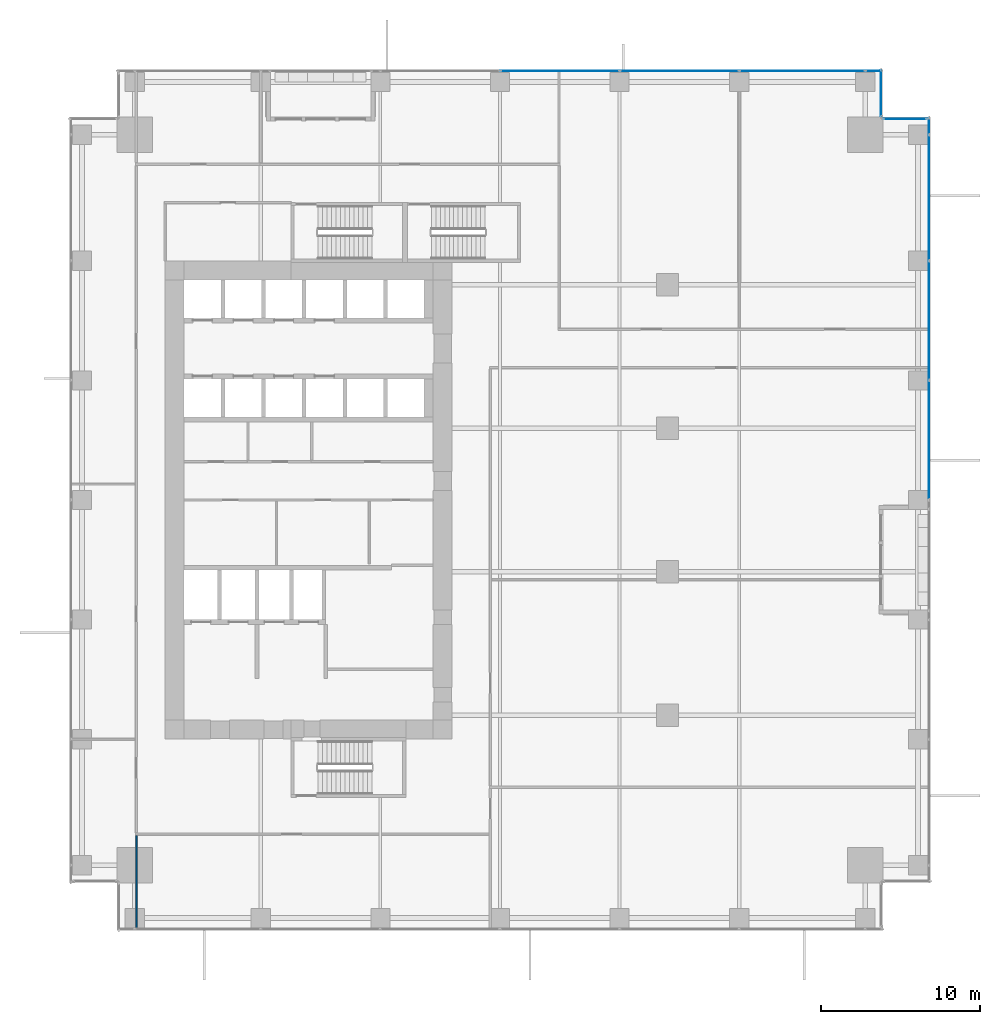
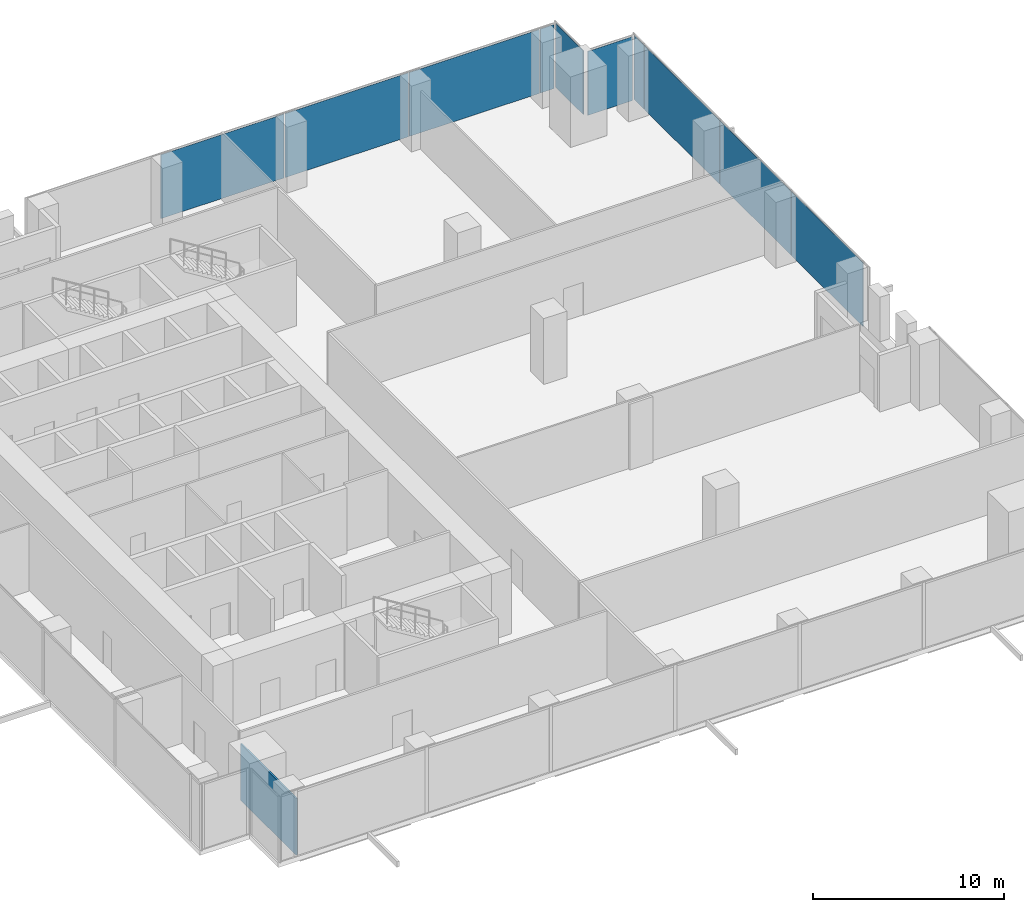
# One storey, part 26 of 33: 10 plates, 1 wall, 4 elements without a shape of their own.
"""IFC4 building model written with IfcOpenShell, lengths in metres."""

from ifc_helpers import new_model, si_unit, direction, frame, frame_2d, origin, origin_2d, place, context, subcontext, project, spatial, rectangle, extrude, source, transform, mapped, material, layer, layer_set, type_object, element, aggregate, save


model = new_model("IFC4")

# Units and contexts
model_context = context("Model", 3, precision=1e-05, world=origin(), true_north=direction((0.0, 1.0)))
body_context = subcontext(model_context, "Body", "Model", "MODEL_VIEW")
ifc_project = project(units=[si_unit("LENGTHUNIT", "METRE"), si_unit("AREAUNIT", "SQUARE_METRE"), si_unit("VOLUMEUNIT", "CUBIC_METRE"), si_unit("PLANEANGLEUNIT", "RADIAN"), si_unit("MASSUNIT", "GRAM", prefix="KILO")], contexts=[model_context])

# Site, building, storey
site_placement = place(None, origin())
site = spatial("IfcSite", under=ifc_project, at=site_placement, CompositionType="ELEMENT")
building_placement = place(site_placement, origin())
building = spatial("IfcBuilding", under=site, at=building_placement, Name="Khomas Fold Tower", CompositionType="ELEMENT")
storey_placement = place(building_placement, frame((0.0, 0.0, 82.5)))
storey = spatial("IfcBuildingStorey", under=building, at=storey_placement, Name="L17", CompositionType="ELEMENT", Elevation=82.5)

# Curtain wall, plate
ifc_material_1 = material(Name="Aluminium framed double glazing", Category="aluminium")
curtain_wall_type = type_object("IfcCurtainWallType", Name="SK-Unitised clear-glass wall, growing floors CW1", PredefinedType="NOTDEFINED", material=ifc_material_1)
curtain_wall_1_placement = place(storey_placement, origin())
curtain_wall_1 = element("IfcCurtainWall", 1, at=curtain_wall_1_placement, inside=storey, type_object=curtain_wall_type, Name="CW1 run L17 06-0", PredefinedType="NOTDEFINED")
ifc_material_2 = material(Name="Clear double glazed unit")
ifc_layer_1 = layer(ifc_material_2, 0.031982421875)
ifc_layer_set_1 = layer_set([ifc_layer_1], Name="Clear double glazed unit")
plate_type = type_object("IfcPlateType", Name="SK-Unitised clear-glass wall, growing floors glass panel CW1-P", PredefinedType="CURTAIN_PANEL", material=ifc_layer_set_1)
shared_shape_1 = source(origin(), body_context, "Body", "SweptSolid", [
    extrude(rectangle(XDim=0.81005859375, YDim=0.031982421875, at=origin_2d()), origin(), (0.0, 0.0, 1.0), 4.080078125),
])
plate_1_placement = place(storey_placement, frame((50.3349609375, 53.89990234375, 0.0), z_axis=(0.0, 0.0, 1.0), x_axis=(-1.0, 0.0, 0.0)))
plate_1 = element("IfcPlate", 2, at=plate_1_placement, type_object=plate_type, Name="CW1 glass panel 1", PredefinedType="CURTAIN_PANEL", context=body_context, shape_type="MappedRepresentation", body=[
    mapped(shared_shape_1, transform((0.0, 0.0, 0.0))),
])

curtain_wall_2_placement = place(storey_placement, origin())
curtain_wall_2 = element("IfcCurtainWall", 3, at=curtain_wall_2_placement, inside=storey, type_object=curtain_wall_type, Name="CW1 run L17 03-1", PredefinedType="NOTDEFINED")
shared_shape_2 = source(origin(), body_context, "Body", "SweptSolid", [
    extrude(rectangle(XDim=7.840087890625, YDim=0.031982421875, at=origin_2d()), origin(), (0.0, 0.0, 1.0), 4.080078125),
])
plate_2_placement = place(storey_placement, frame((53.89990234375, 45.949951171875, 0.0), z_axis=(0.0, 0.0, 1.0), x_axis=(0.0, 1.0, 0.0)))
plate_2 = element("IfcPlate", 4, at=plate_2_placement, type_object=plate_type, Name="CW1 glass panel 4", PredefinedType="CURTAIN_PANEL", context=body_context, shape_type="MappedRepresentation", body=[
    mapped(shared_shape_2, transform((0.0, 0.0, 0.0))),
])

# Plate
plate_3_placement = place(storey_placement, frame((45.949951171875, 53.89990234375, 0.0), z_axis=(0.0, 0.0, 1.0), x_axis=(-1.0, 0.0, 0.0)))
plate_3 = element("IfcPlate", 5, at=plate_3_placement, type_object=plate_type, Name="CW1 glass panel 2", PredefinedType="CURTAIN_PANEL", context=body_context, shape_type="MappedRepresentation", body=[
    mapped(shared_shape_2, transform((0.0, 0.0, 0.0))),
])

shared_shape_3 = source(origin(), body_context, "Body", "SweptSolid", [
    extrude(rectangle(XDim=7.43994140625, YDim=0.031982421875, at=origin_2d()), origin(), (0.0, 0.0, 1.0), 4.080078125),
])
plate_4_placement = place(storey_placement, frame((53.89990234375, 30.75, 0.0), z_axis=(0.0, 0.0, 1.0), x_axis=(0.0, 1.0, 0.0)))
plate_4 = element("IfcPlate", 6, at=plate_4_placement, type_object=plate_type, Name="CW1 glass panel 2", PredefinedType="CURTAIN_PANEL", context=body_context, shape_type="MappedRepresentation", body=[
    mapped(shared_shape_3, transform((0.0, 0.0, 0.0))),
])

plate_5_placement = place(storey_placement, frame((53.89990234375, 38.25, 0.0), z_axis=(0.0, 0.0, 1.0), x_axis=(0.0, 1.0, 0.0)))
plate_5 = element("IfcPlate", 7, at=plate_5_placement, type_object=plate_type, Name="CW1 glass panel 3", PredefinedType="CURTAIN_PANEL", context=body_context, shape_type="MappedRepresentation", body=[
    mapped(shared_shape_3, transform((0.0, 0.0, 0.0))),
])

plate_6_placement = place(storey_placement, frame((38.25, 53.89990234375, 0.0), z_axis=(0.0, 0.0, 1.0), x_axis=(-1.0, 0.0, 0.0)))
plate_6 = element("IfcPlate", 8, at=plate_6_placement, type_object=plate_type, Name="CW1 glass panel 3", PredefinedType="CURTAIN_PANEL", context=body_context, shape_type="MappedRepresentation", body=[
    mapped(shared_shape_3, transform((0.0, 0.0, 0.0))),
])

plate_7_placement = place(storey_placement, frame((30.75, 53.89990234375, 0.0), z_axis=(0.0, 0.0, 1.0), x_axis=(-1.0, 0.0, 0.0)))
plate_7 = element("IfcPlate", 9, at=plate_7_placement, type_object=plate_type, Name="CW1 glass panel 4", PredefinedType="CURTAIN_PANEL", context=body_context, shape_type="MappedRepresentation", body=[
    mapped(shared_shape_3, transform((0.0, 0.0, 0.0))),
])

aggregate(curtain_wall_1, [plate_1, plate_3, plate_6, plate_7])

shared_shape_4 = source(origin(), body_context, "Body", "SweptSolid", [
    extrude(rectangle(XDim=1.010009765625, YDim=0.031982421875, at=origin_2d()), origin(), (0.0, 0.0, 1.0), 4.080078125),
])
plate_8_placement = place(storey_placement, frame((53.89990234375, 50.43505859375, 0.0), z_axis=(0.0, 0.0, 1.0), x_axis=(0.0, 1.0, 0.0)))
plate_8 = element("IfcPlate", 10, at=plate_8_placement, type_object=plate_type, Name="CW1 glass panel 5", PredefinedType="CURTAIN_PANEL", context=body_context, shape_type="MappedRepresentation", body=[
    mapped(shared_shape_4, transform((0.0, 0.0, 0.0))),
])

aggregate(curtain_wall_2, [plate_4, plate_5, plate_2, plate_8])

# Curtain wall, plate
curtain_wall_3_placement = place(storey_placement, origin())
curtain_wall_3 = element("IfcCurtainWall", 11, at=curtain_wall_3_placement, inside=storey, type_object=curtain_wall_type, Name="CW1 corner return L17 04", PredefinedType="NOTDEFINED")
shared_shape_5 = source(origin(), body_context, "Body", "SweptSolid", [
    extrude(rectangle(XDim=2.679931640625, YDim=0.031982421875, at=origin_2d()), origin(), (0.0, 0.0, 1.0), 4.080078125),
])
plate_9_placement = place(storey_placement, frame((52.39990234375, 50.89990234375, 0.0), z_axis=(0.0, 0.0, 1.0), x_axis=(-1.0, 0.0, 0.0)))
plate_9 = element("IfcPlate", 12, at=plate_9_placement, type_object=plate_type, Name="CW1 glass panel 1", PredefinedType="CURTAIN_PANEL", context=body_context, shape_type="MappedRepresentation", body=[
    mapped(shared_shape_5, transform((0.0, 0.0, 0.0))),
])
aggregate(curtain_wall_3, [plate_9])

curtain_wall_4_placement = place(storey_placement, origin())
curtain_wall_4 = element("IfcCurtainWall", 13, at=curtain_wall_4_placement, inside=storey, type_object=curtain_wall_type, Name="CW1 corner return L17 05", PredefinedType="NOTDEFINED")
shared_shape_6 = source(origin(), body_context, "Body", "SweptSolid", [
    extrude(rectangle(XDim=2.8798828125, YDim=0.031982421875, at=origin_2d()), origin(), (0.0, 0.0, 1.0), 4.080078125),
])
plate_10_placement = place(storey_placement, frame((50.89990234375, 52.5, 0.0), z_axis=(0.0, 0.0, 1.0), x_axis=(0.0, 1.0, 0.0)))
plate_10 = element("IfcPlate", 14, at=plate_10_placement, type_object=plate_type, Name="CW1 glass panel 1", PredefinedType="CURTAIN_PANEL", context=body_context, shape_type="MappedRepresentation", body=[
    mapped(shared_shape_6, transform((0.0, 0.0, 0.0))),
])
aggregate(curtain_wall_4, [plate_10])

# Wall
ifc_material_3 = material(Name="Plasterboard partition")
ifc_layer_2 = layer(ifc_material_3, 0.10009765625)
ifc_layer_set_2 = layer_set([ifc_layer_2], Name="Plasterboard partition")
wall_type = type_object("IfcWallType", Name="Partition PW1 100", PredefinedType="PARTITIONING", material=ifc_layer_set_2)
shared_shape_7 = source(origin(), body_context, "Body", "SweptSolid", [
    extrude(rectangle(XDim=5.800048828125, YDim=0.10009765625, at=frame_2d((2.89990234375, 0.0))), origin(), (0.0, 0.0, 1.0), 3.60009765625),
])
wall_placement = place(storey_placement, frame((4.199951171875, 0.14990234375, 0.0), z_axis=(0.0, 0.0, 1.0), x_axis=(0.0, 1.0, 0.0)))
element("IfcWall", 15, at=wall_placement, inside=storey, type_object=wall_type, Name="Partition", PredefinedType="PARTITIONING", context=body_context, shape_type="MappedRepresentation", body=[
    mapped(shared_shape_7, transform((0.0, 0.0, 0.0))),
])

save(model, "model.ifc")
